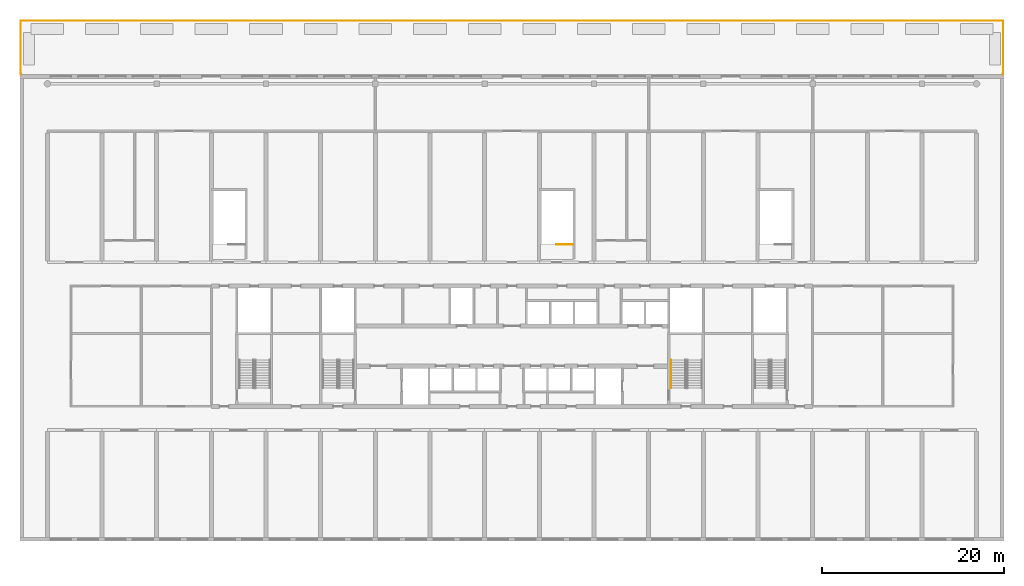
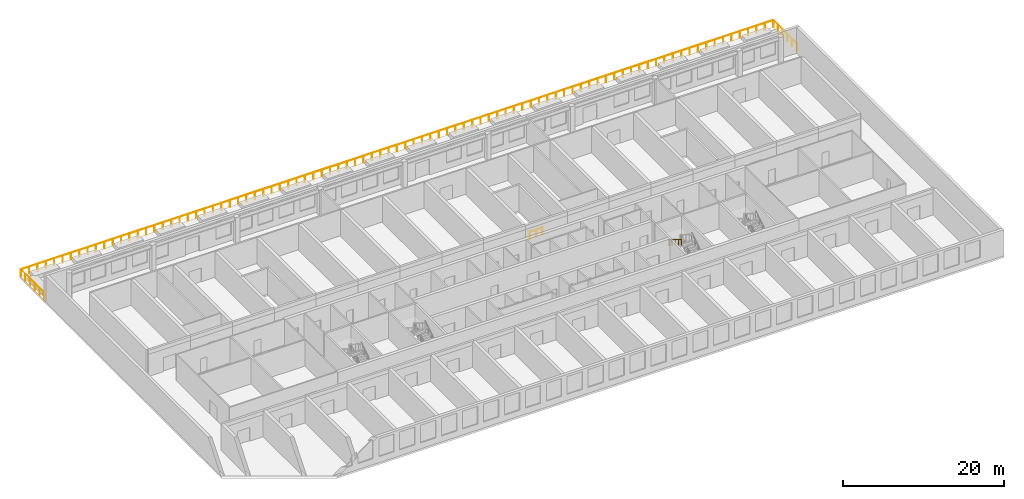
# One storey, part 14 of 15: 3 railings.
"""IFC4 building model written with IfcOpenShell, lengths in metres."""

from ifc_helpers import new_model, si_unit, direction, frame, origin, origin_2d, place, context, subcontext, project, spatial, circle, extrude, material, type_object, element, save


model = new_model("IFC4")

# Units and contexts
model_context = context("Model", 3, precision=1e-05, world=origin(), true_north=direction((0.0, 1.0)))
body_context = subcontext(model_context, "Body", "Model", "MODEL_VIEW")
ifc_project = project(units=[si_unit("LENGTHUNIT", "METRE"), si_unit("AREAUNIT", "SQUARE_METRE"), si_unit("VOLUMEUNIT", "CUBIC_METRE"), si_unit("PLANEANGLEUNIT", "RADIAN"), si_unit("MASSUNIT", "GRAM", prefix="KILO")], contexts=[model_context])

# Site, building, storey
site_placement = place(None, origin())
site = spatial("IfcSite", under=ifc_project, at=site_placement, CompositionType="ELEMENT")
building_placement = place(site_placement, origin())
building = spatial("IfcBuilding", under=site, at=building_placement, Name="Poui Terraces", CompositionType="ELEMENT")
storey_placement = place(building_placement, frame((0.0, 0.0, 19.199951171875)))
storey = spatial("IfcBuildingStorey", under=building, at=storey_placement, Name="L04", CompositionType="ELEMENT", Elevation=19.199951171875)

# Railings
ifc_material_1 = material(Name="Galvanised steel balustrade", Category="steel")
railing_type_1 = type_object("IfcRailingType", Name="STAIR GUARD 1100", PredefinedType="GUARDRAIL", material=ifc_material_1)
railing_1_placement = place(storey_placement, frame((57.675048828125, 32.35009765625, 0.0)))
element("IfcRailing", 1, at=railing_1_placement, inside=storey, type_object=railing_type_1, Name="L04 ST-N3 top well guard 1", PredefinedType="GUARDRAIL", context=body_context, shape_type="SweptSolid", body=[
    extrude(circle(Radius=0.02392578125, at=origin_2d()), frame((0.0, 0.0, 1.076171875), z_axis=(-1.0, 0.0, 0.0), x_axis=(0.0, -1.0, 0.0)), (0.0, 0.0, 1.0), 1.800048828125),
    extrude(circle(Radius=0.02099609375, at=origin_2d()), origin(), (0.0, 0.0, 1.0), 1.052001953125),
    extrude(circle(Radius=0.02099609375, at=origin_2d()), frame((-0.89990234375, 0.0, 0.0)), (0.0, 0.0, 1.0), 1.052001953125),
    extrude(circle(Radius=0.02099609375, at=origin_2d()), frame((-1.800048828125, 0.0, 0.0)), (0.0, 0.0, 1.0), 1.052001953125),
])
ifc_material_2 = material(Name="Stainless steel handrail", Category="steel")
railing_type_2 = type_object("IfcRailingType", Name="STAIR HANDRAIL 900", PredefinedType="HANDRAIL", material=ifc_material_2)
railing_2_placement = place(storey_placement, frame((68.47509765625, 19.679931640625, 2.275146484375)))
element("IfcRailing", 2, at=railing_2_placement, inside=storey, type_object=railing_type_2, Name="L04 ST-CE stair handrail 2", PredefinedType="HANDRAIL", context=body_context, shape_type="SweptSolid", body=[
    extrude(circle(Radius=0.02392578125, at=origin_2d()), frame((0.0, 0.0, 0.8759765625), z_axis=(0.0, -0.848009633417, 0.529980812513), x_axis=(1.0, 0.0, 0.0)), (0.0, 0.0, 1.0), 3.6318359375),
    extrude(circle(Radius=0.02099609375, at=origin_2d()), origin(), (0.0, 0.0, 1.0), 0.851806640625),
    extrude(circle(Radius=0.02099609375, at=origin_2d()), frame((0.0, -0.77001953125, 0.481201171875)), (0.0, 0.0, 1.0), 0.851806640625),
    extrude(circle(Radius=0.02099609375, at=origin_2d()), frame((0.0, -1.5400390625, 0.96240234375)), (0.0, 0.0, 1.0), 0.851806640625),
    extrude(circle(Radius=0.02099609375, at=origin_2d()), frame((0.0, -2.309814453125, 1.443603515625)), (0.0, 0.0, 1.0), 0.851806640625),
    extrude(circle(Radius=0.02099609375, at=origin_2d()), frame((0.0, -3.079833984375, 1.9248046875)), (0.0, 0.0, 1.0), 0.851806640625),
])
ifc_material_3 = material(Name="Painted steel fretwork", Category="steel")
railing_type_3 = type_object("IfcRailingType", Name="TERRACE GUARD 1100", PredefinedType="GUARDRAIL", material=ifc_material_3)
railing_3_placement = place(storey_placement, frame((-2.89990234375, 51.0, 0.0)))
element("IfcRailing", 3, at=railing_3_placement, inside=storey, type_object=railing_type_3, Name="TERRACE GUARD", PredefinedType="GUARDRAIL", context=body_context, shape_type="SweptSolid", body=[
    extrude(circle(Radius=0.02392578125, at=origin_2d()), frame((0.0, 0.0, 1.076171875), z_axis=(0.0, 1.0, 0.0), x_axis=(-1.0, 0.0, 0.0)), (0.0, 0.0, 1.0), 0.080078125),
    extrude(circle(Radius=0.02392578125, at=origin_2d()), frame((0.0, 0.080078125, 1.076171875), z_axis=(-1.0, 0.0, 0.0), x_axis=(0.0, -1.0, 0.0)), (0.0, 0.0, 1.0), 0.02001953125),
    extrude(circle(Radius=0.02392578125, at=origin_2d()), frame((-0.02001953125, 0.080078125, 1.076171875), z_axis=(0.0, 1.0, 0.0), x_axis=(-1.0, 0.0, 0.0)), (0.0, 0.0, 1.0), 5.83984375),
    extrude(circle(Radius=0.02392578125, at=origin_2d()), frame((-0.02001953125, 5.919921875, 1.076171875), z_axis=(1.0, 0.0, 0.0), x_axis=(0.0, 1.0, 0.0)), (0.0, 0.0, 1.0), 107.83984375),
    extrude(circle(Radius=0.02392578125, at=origin_2d()), frame((107.81982421875, 5.919921875, 1.076171875), z_axis=(0.0, -1.0, 0.0), x_axis=(1.0, 0.0, 0.0)), (0.0, 0.0, 1.0), 5.83984375),
    extrude(circle(Radius=0.02392578125, at=origin_2d()), frame((107.81982421875, 0.080078125, 1.076171875), z_axis=(-1.0, 0.0, 0.0), x_axis=(0.0, -1.0, 0.0)), (0.0, 0.0, 1.0), 0.02001953125),
    extrude(circle(Radius=0.02392578125, at=origin_2d()), frame((107.7998046875, 0.080078125, 1.076171875), z_axis=(0.0, -1.0, 0.0), x_axis=(1.0, 0.0, 0.0)), (0.0, 0.0, 1.0), 0.080078125),
    extrude(circle(Radius=0.02099609375, at=origin_2d()), origin(), (0.0, 0.0, 1.0), 1.052001953125),
    extrude(circle(Radius=0.02099609375, at=origin_2d()), frame((0.0, 0.080078125, 0.0)), (0.0, 0.0, 1.0), 1.052001953125),
    extrude(circle(Radius=0.02099609375, at=origin_2d()), frame((-0.02001953125, 0.080078125, 0.0)), (0.0, 0.0, 1.0), 1.052001953125),
    extrude(circle(Radius=0.02099609375, at=origin_2d()), frame((-0.02001953125, 1.248046875, 0.0)), (0.0, 0.0, 1.0), 1.052001953125),
    extrude(circle(Radius=0.02099609375, at=origin_2d()), frame((-0.02001953125, 2.416015625, 0.0)), (0.0, 0.0, 1.0), 1.052001953125),
    extrude(circle(Radius=0.02099609375, at=origin_2d()), frame((-0.02001953125, 3.583984375, 0.0)), (0.0, 0.0, 1.0), 1.052001953125),
    extrude(circle(Radius=0.02099609375, at=origin_2d()), frame((-0.02001953125, 4.751953125, 0.0)), (0.0, 0.0, 1.0), 1.052001953125),
    extrude(circle(Radius=0.02099609375, at=origin_2d()), frame((-0.02001953125, 5.919921875, 0.0)), (0.0, 0.0, 1.0), 1.052001953125),
    extrude(circle(Radius=0.02099609375, at=origin_2d()), frame((1.17822265625, 5.919921875, 0.0)), (0.0, 0.0, 1.0), 1.052001953125),
    extrude(circle(Radius=0.02099609375, at=origin_2d()), frame((2.37646484375, 5.919921875, 0.0)), (0.0, 0.0, 1.0), 1.052001953125),
    extrude(circle(Radius=0.02099609375, at=origin_2d()), frame((3.57470703125, 5.919921875, 0.0)), (0.0, 0.0, 1.0), 1.052001953125),
    extrude(circle(Radius=0.02099609375, at=origin_2d()), frame((4.77294921875, 5.919921875, 0.0)), (0.0, 0.0, 1.0), 1.052001953125),
    extrude(circle(Radius=0.02099609375, at=origin_2d()), frame((5.97119140625, 5.919921875, 0.0)), (0.0, 0.0, 1.0), 1.052001953125),
    extrude(circle(Radius=0.02099609375, at=origin_2d()), frame((7.169189453125, 5.919921875, 0.0)), (0.0, 0.0, 1.0), 1.052001953125),
    extrude(circle(Radius=0.02099609375, at=origin_2d()), frame((8.367431640625, 5.919921875, 0.0)), (0.0, 0.0, 1.0), 1.052001953125),
    extrude(circle(Radius=0.02099609375, at=origin_2d()), frame((9.565673828125, 5.919921875, 0.0)), (0.0, 0.0, 1.0), 1.052001953125),
    extrude(circle(Radius=0.02099609375, at=origin_2d()), frame((10.763916015625, 5.919921875, 0.0)), (0.0, 0.0, 1.0), 1.052001953125),
    extrude(circle(Radius=0.02099609375, at=origin_2d()), frame((11.962158203125, 5.919921875, 0.0)), (0.0, 0.0, 1.0), 1.052001953125),
    extrude(circle(Radius=0.02099609375, at=origin_2d()), frame((13.160400390625, 5.919921875, 0.0)), (0.0, 0.0, 1.0), 1.052001953125),
    extrude(circle(Radius=0.02099609375, at=origin_2d()), frame((14.358642578125, 5.919921875, 0.0)), (0.0, 0.0, 1.0), 1.052001953125),
    extrude(circle(Radius=0.02099609375, at=origin_2d()), frame((15.556884765625, 5.919921875, 0.0)), (0.0, 0.0, 1.0), 1.052001953125),
    extrude(circle(Radius=0.02099609375, at=origin_2d()), frame((16.755126953125, 5.919921875, 0.0)), (0.0, 0.0, 1.0), 1.052001953125),
    extrude(circle(Radius=0.02099609375, at=origin_2d()), frame((17.953369140625, 5.919921875, 0.0)), (0.0, 0.0, 1.0), 1.052001953125),
    extrude(circle(Radius=0.02099609375, at=origin_2d()), frame((19.151611328125, 5.919921875, 0.0)), (0.0, 0.0, 1.0), 1.052001953125),
    extrude(circle(Radius=0.02099609375, at=origin_2d()), frame((20.349609375, 5.919921875, 0.0)), (0.0, 0.0, 1.0), 1.052001953125),
    extrude(circle(Radius=0.02099609375, at=origin_2d()), frame((21.5478515625, 5.919921875, 0.0)), (0.0, 0.0, 1.0), 1.052001953125),
    extrude(circle(Radius=0.02099609375, at=origin_2d()), frame((22.74609375, 5.919921875, 0.0)), (0.0, 0.0, 1.0), 1.052001953125),
    extrude(circle(Radius=0.02099609375, at=origin_2d()), frame((23.9443359375, 5.919921875, 0.0)), (0.0, 0.0, 1.0), 1.052001953125),
    extrude(circle(Radius=0.02099609375, at=origin_2d()), frame((25.142578125, 5.919921875, 0.0)), (0.0, 0.0, 1.0), 1.052001953125),
    extrude(circle(Radius=0.02099609375, at=origin_2d()), frame((26.3408203125, 5.919921875, 0.0)), (0.0, 0.0, 1.0), 1.052001953125),
    extrude(circle(Radius=0.02099609375, at=origin_2d()), frame((27.5390625, 5.919921875, 0.0)), (0.0, 0.0, 1.0), 1.052001953125),
    extrude(circle(Radius=0.02099609375, at=origin_2d()), frame((28.7373046875, 5.919921875, 0.0)), (0.0, 0.0, 1.0), 1.052001953125),
    extrude(circle(Radius=0.02099609375, at=origin_2d()), frame((29.935546875, 5.919921875, 0.0)), (0.0, 0.0, 1.0), 1.052001953125),
    extrude(circle(Radius=0.02099609375, at=origin_2d()), frame((31.1337890625, 5.919921875, 0.0)), (0.0, 0.0, 1.0), 1.052001953125),
    extrude(circle(Radius=0.02099609375, at=origin_2d()), frame((32.33203125, 5.919921875, 0.0)), (0.0, 0.0, 1.0), 1.052001953125),
    extrude(circle(Radius=0.02099609375, at=origin_2d()), frame((33.5302734375, 5.919921875, 0.0)), (0.0, 0.0, 1.0), 1.052001953125),
    extrude(circle(Radius=0.02099609375, at=origin_2d()), frame((34.728271484375, 5.919921875, 0.0)), (0.0, 0.0, 1.0), 1.052001953125),
    extrude(circle(Radius=0.02099609375, at=origin_2d()), frame((35.926513671875, 5.919921875, 0.0)), (0.0, 0.0, 1.0), 1.052001953125),
    extrude(circle(Radius=0.02099609375, at=origin_2d()), frame((37.124755859375, 5.919921875, 0.0)), (0.0, 0.0, 1.0), 1.052001953125),
    extrude(circle(Radius=0.02099609375, at=origin_2d()), frame((38.322998046875, 5.919921875, 0.0)), (0.0, 0.0, 1.0), 1.052001953125),
    extrude(circle(Radius=0.02099609375, at=origin_2d()), frame((39.521240234375, 5.919921875, 0.0)), (0.0, 0.0, 1.0), 1.052001953125),
    extrude(circle(Radius=0.02099609375, at=origin_2d()), frame((40.719482421875, 5.919921875, 0.0)), (0.0, 0.0, 1.0), 1.052001953125),
    extrude(circle(Radius=0.02099609375, at=origin_2d()), frame((41.917724609375, 5.919921875, 0.0)), (0.0, 0.0, 1.0), 1.052001953125),
    extrude(circle(Radius=0.02099609375, at=origin_2d()), frame((43.115966796875, 5.919921875, 0.0)), (0.0, 0.0, 1.0), 1.052001953125),
    extrude(circle(Radius=0.02099609375, at=origin_2d()), frame((44.314208984375, 5.919921875, 0.0)), (0.0, 0.0, 1.0), 1.052001953125),
    extrude(circle(Radius=0.02099609375, at=origin_2d()), frame((45.512451171875, 5.919921875, 0.0)), (0.0, 0.0, 1.0), 1.052001953125),
    extrude(circle(Radius=0.02099609375, at=origin_2d()), frame((46.710693359375, 5.919921875, 0.0)), (0.0, 0.0, 1.0), 1.052001953125),
    extrude(circle(Radius=0.02099609375, at=origin_2d()), frame((47.90869140625, 5.919921875, 0.0)), (0.0, 0.0, 1.0), 1.052001953125),
    extrude(circle(Radius=0.02099609375, at=origin_2d()), frame((49.10693359375, 5.919921875, 0.0)), (0.0, 0.0, 1.0), 1.052001953125),
    extrude(circle(Radius=0.02099609375, at=origin_2d()), frame((50.30517578125, 5.919921875, 0.0)), (0.0, 0.0, 1.0), 1.052001953125),
    extrude(circle(Radius=0.02099609375, at=origin_2d()), frame((51.50341796875, 5.919921875, 0.0)), (0.0, 0.0, 1.0), 1.052001953125),
    extrude(circle(Radius=0.02099609375, at=origin_2d()), frame((52.70166015625, 5.919921875, 0.0)), (0.0, 0.0, 1.0), 1.052001953125),
    extrude(circle(Radius=0.02099609375, at=origin_2d()), frame((53.89990234375, 5.919921875, 0.0)), (0.0, 0.0, 1.0), 1.052001953125),
    extrude(circle(Radius=0.02099609375, at=origin_2d()), frame((55.09814453125, 5.919921875, 0.0)), (0.0, 0.0, 1.0), 1.052001953125),
    extrude(circle(Radius=0.02099609375, at=origin_2d()), frame((56.29638671875, 5.919921875, 0.0)), (0.0, 0.0, 1.0), 1.052001953125),
    extrude(circle(Radius=0.02099609375, at=origin_2d()), frame((57.49462890625, 5.919921875, 0.0)), (0.0, 0.0, 1.0), 1.052001953125),
    extrude(circle(Radius=0.02099609375, at=origin_2d()), frame((58.69287109375, 5.919921875, 0.0)), (0.0, 0.0, 1.0), 1.052001953125),
    extrude(circle(Radius=0.02099609375, at=origin_2d()), frame((59.89111328125, 5.919921875, 0.0)), (0.0, 0.0, 1.0), 1.052001953125),
    extrude(circle(Radius=0.02099609375, at=origin_2d()), frame((61.089111328125, 5.919921875, 0.0)), (0.0, 0.0, 1.0), 1.052001953125),
    extrude(circle(Radius=0.02099609375, at=origin_2d()), frame((62.287353515625, 5.919921875, 0.0)), (0.0, 0.0, 1.0), 1.052001953125),
    extrude(circle(Radius=0.02099609375, at=origin_2d()), frame((63.485595703125, 5.919921875, 0.0)), (0.0, 0.0, 1.0), 1.052001953125),
    extrude(circle(Radius=0.02099609375, at=origin_2d()), frame((64.683837890625, 5.919921875, 0.0)), (0.0, 0.0, 1.0), 1.052001953125),
    extrude(circle(Radius=0.02099609375, at=origin_2d()), frame((65.882080078125, 5.919921875, 0.0)), (0.0, 0.0, 1.0), 1.052001953125),
    extrude(circle(Radius=0.02099609375, at=origin_2d()), frame((67.080322265625, 5.919921875, 0.0)), (0.0, 0.0, 1.0), 1.052001953125),
    extrude(circle(Radius=0.02099609375, at=origin_2d()), frame((68.278564453125, 5.919921875, 0.0)), (0.0, 0.0, 1.0), 1.052001953125),
    extrude(circle(Radius=0.02099609375, at=origin_2d()), frame((69.476806640625, 5.919921875, 0.0)), (0.0, 0.0, 1.0), 1.052001953125),
    extrude(circle(Radius=0.02099609375, at=origin_2d()), frame((70.675048828125, 5.919921875, 0.0)), (0.0, 0.0, 1.0), 1.052001953125),
    extrude(circle(Radius=0.02099609375, at=origin_2d()), frame((71.873291015625, 5.919921875, 0.0)), (0.0, 0.0, 1.0), 1.052001953125),
    extrude(circle(Radius=0.02099609375, at=origin_2d()), frame((73.071533203125, 5.919921875, 0.0)), (0.0, 0.0, 1.0), 1.052001953125),
    extrude(circle(Radius=0.02099609375, at=origin_2d()), frame((74.26953125, 5.919921875, 0.0)), (0.0, 0.0, 1.0), 1.052001953125),
    extrude(circle(Radius=0.02099609375, at=origin_2d()), frame((75.4677734375, 5.919921875, 0.0)), (0.0, 0.0, 1.0), 1.052001953125),
    extrude(circle(Radius=0.02099609375, at=origin_2d()), frame((76.666015625, 5.919921875, 0.0)), (0.0, 0.0, 1.0), 1.052001953125),
    extrude(circle(Radius=0.02099609375, at=origin_2d()), frame((77.8642578125, 5.919921875, 0.0)), (0.0, 0.0, 1.0), 1.052001953125),
    extrude(circle(Radius=0.02099609375, at=origin_2d()), frame((79.0625, 5.919921875, 0.0)), (0.0, 0.0, 1.0), 1.052001953125),
    extrude(circle(Radius=0.02099609375, at=origin_2d()), frame((80.2607421875, 5.919921875, 0.0)), (0.0, 0.0, 1.0), 1.052001953125),
    extrude(circle(Radius=0.02099609375, at=origin_2d()), frame((81.458984375, 5.919921875, 0.0)), (0.0, 0.0, 1.0), 1.052001953125),
    extrude(circle(Radius=0.02099609375, at=origin_2d()), frame((82.6572265625, 5.919921875, 0.0)), (0.0, 0.0, 1.0), 1.052001953125),
    extrude(circle(Radius=0.02099609375, at=origin_2d()), frame((83.85546875, 5.919921875, 0.0)), (0.0, 0.0, 1.0), 1.052001953125),
    extrude(circle(Radius=0.02099609375, at=origin_2d()), frame((85.0537109375, 5.919921875, 0.0)), (0.0, 0.0, 1.0), 1.052001953125),
    extrude(circle(Radius=0.02099609375, at=origin_2d()), frame((86.251953125, 5.919921875, 0.0)), (0.0, 0.0, 1.0), 1.052001953125),
    extrude(circle(Radius=0.02099609375, at=origin_2d()), frame((87.4501953125, 5.919921875, 0.0)), (0.0, 0.0, 1.0), 1.052001953125),
    extrude(circle(Radius=0.02099609375, at=origin_2d()), frame((88.648193359375, 5.919921875, 0.0)), (0.0, 0.0, 1.0), 1.052001953125),
    extrude(circle(Radius=0.02099609375, at=origin_2d()), frame((89.846435546875, 5.919921875, 0.0)), (0.0, 0.0, 1.0), 1.052001953125),
    extrude(circle(Radius=0.02099609375, at=origin_2d()), frame((91.044677734375, 5.919921875, 0.0)), (0.0, 0.0, 1.0), 1.052001953125),
    extrude(circle(Radius=0.02099609375, at=origin_2d()), frame((92.242919921875, 5.919921875, 0.0)), (0.0, 0.0, 1.0), 1.052001953125),
    extrude(circle(Radius=0.02099609375, at=origin_2d()), frame((93.441162109375, 5.919921875, 0.0)), (0.0, 0.0, 1.0), 1.052001953125),
    extrude(circle(Radius=0.02099609375, at=origin_2d()), frame((94.639404296875, 5.919921875, 0.0)), (0.0, 0.0, 1.0), 1.052001953125),
    extrude(circle(Radius=0.02099609375, at=origin_2d()), frame((95.837646484375, 5.919921875, 0.0)), (0.0, 0.0, 1.0), 1.052001953125),
    extrude(circle(Radius=0.02099609375, at=origin_2d()), frame((97.035888671875, 5.919921875, 0.0)), (0.0, 0.0, 1.0), 1.052001953125),
    extrude(circle(Radius=0.02099609375, at=origin_2d()), frame((98.234130859375, 5.919921875, 0.0)), (0.0, 0.0, 1.0), 1.052001953125),
    extrude(circle(Radius=0.02099609375, at=origin_2d()), frame((99.432373046875, 5.919921875, 0.0)), (0.0, 0.0, 1.0), 1.052001953125),
    extrude(circle(Radius=0.02099609375, at=origin_2d()), frame((100.630615234375, 5.919921875, 0.0)), (0.0, 0.0, 1.0), 1.052001953125),
    extrude(circle(Radius=0.02099609375, at=origin_2d()), frame((101.82861328125, 5.919921875, 0.0)), (0.0, 0.0, 1.0), 1.052001953125),
    extrude(circle(Radius=0.02099609375, at=origin_2d()), frame((103.02685546875, 5.919921875, 0.0)), (0.0, 0.0, 1.0), 1.052001953125),
    extrude(circle(Radius=0.02099609375, at=origin_2d()), frame((104.22509765625, 5.919921875, 0.0)), (0.0, 0.0, 1.0), 1.052001953125),
    extrude(circle(Radius=0.02099609375, at=origin_2d()), frame((105.42333984375, 5.919921875, 0.0)), (0.0, 0.0, 1.0), 1.052001953125),
    extrude(circle(Radius=0.02099609375, at=origin_2d()), frame((106.62158203125, 5.919921875, 0.0)), (0.0, 0.0, 1.0), 1.052001953125),
    extrude(circle(Radius=0.02099609375, at=origin_2d()), frame((107.81982421875, 5.919921875, 0.0)), (0.0, 0.0, 1.0), 1.052001953125),
    extrude(circle(Radius=0.02099609375, at=origin_2d()), frame((107.81982421875, 4.751953125, 0.0)), (0.0, 0.0, 1.0), 1.052001953125),
    extrude(circle(Radius=0.02099609375, at=origin_2d()), frame((107.81982421875, 3.583984375, 0.0)), (0.0, 0.0, 1.0), 1.052001953125),
    extrude(circle(Radius=0.02099609375, at=origin_2d()), frame((107.81982421875, 2.416015625, 0.0)), (0.0, 0.0, 1.0), 1.052001953125),
    extrude(circle(Radius=0.02099609375, at=origin_2d()), frame((107.81982421875, 1.248046875, 0.0)), (0.0, 0.0, 1.0), 1.052001953125),
    extrude(circle(Radius=0.02099609375, at=origin_2d()), frame((107.81982421875, 0.080078125, 0.0)), (0.0, 0.0, 1.0), 1.052001953125),
    extrude(circle(Radius=0.02099609375, at=origin_2d()), frame((107.7998046875, 0.080078125, 0.0)), (0.0, 0.0, 1.0), 1.052001953125),
    extrude(circle(Radius=0.02099609375, at=origin_2d()), frame((107.7998046875, 0.0, 0.0)), (0.0, 0.0, 1.0), 1.052001953125),
])

save(model, "model.ifc")
